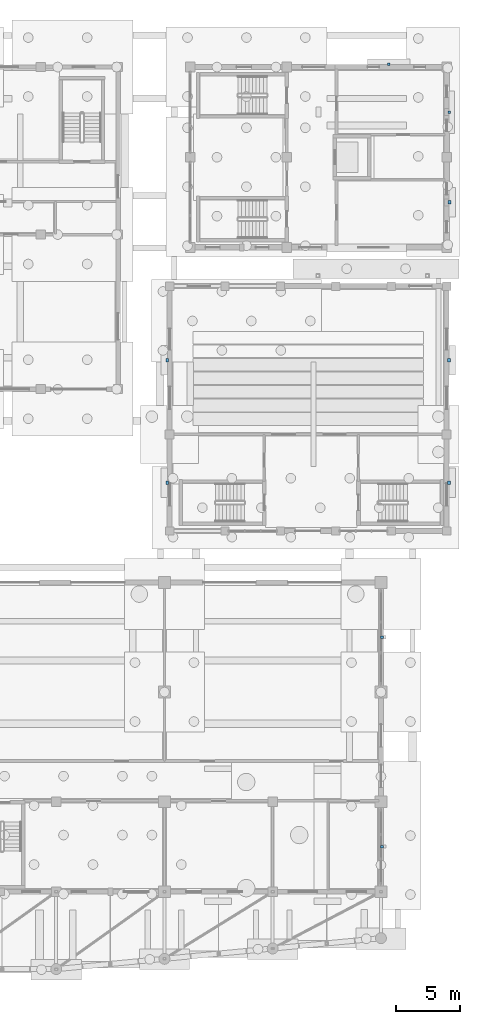
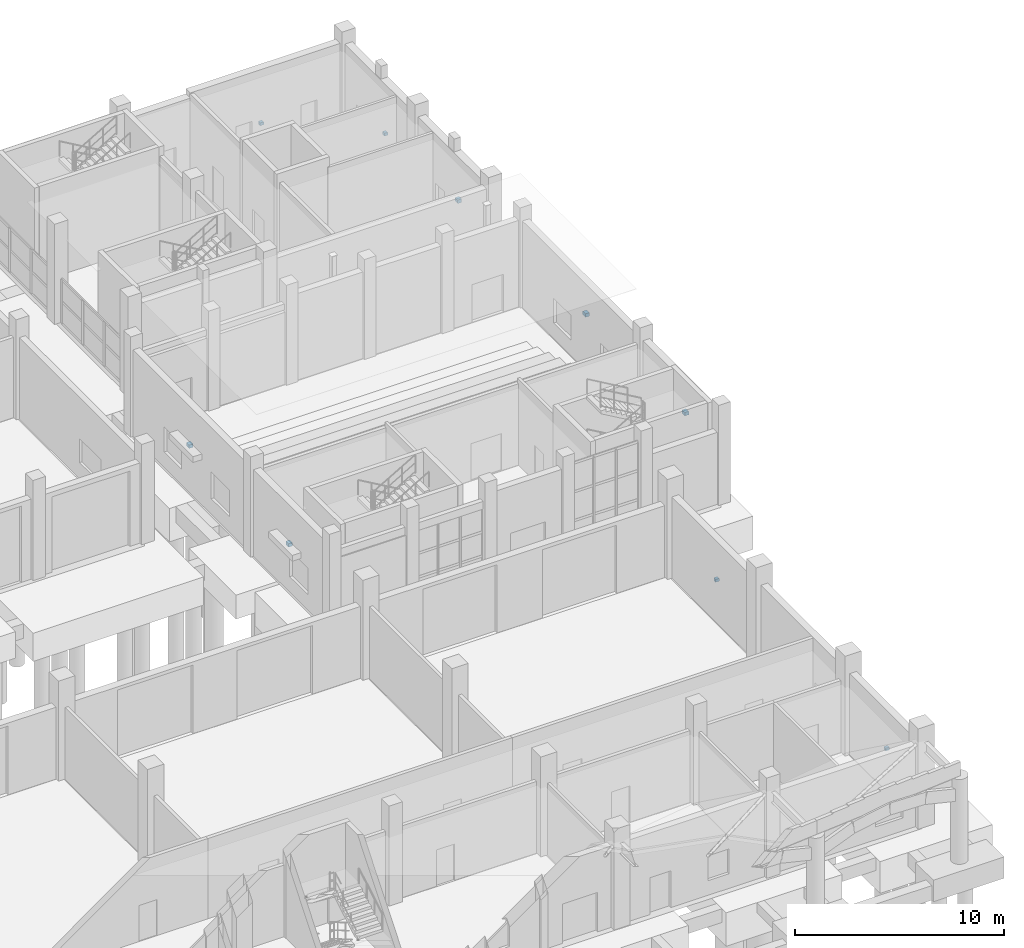
# One storey, part 49 of 60: 9 discrete accessories.
"""IFC4 building model written with IfcOpenShell, lengths in metres."""

from ifc_helpers import new_model, si_unit, direction, frame, origin, origin_2d, place, context, subcontext, project, spatial, rectangle, extrude, material, type_object, element, save


model = new_model("IFC4")

# Units and contexts
model_context = context("Model", 3, precision=1e-05, world=origin(), true_north=direction((0.0, 1.0)))
body_context = subcontext(model_context, "Body", "Model", "MODEL_VIEW")
ifc_project = project(units=[si_unit("LENGTHUNIT", "METRE"), si_unit("AREAUNIT", "SQUARE_METRE"), si_unit("VOLUMEUNIT", "CUBIC_METRE"), si_unit("PLANEANGLEUNIT", "RADIAN"), si_unit("MASSUNIT", "GRAM", prefix="KILO")], contexts=[model_context])

# Site, building, storey
site_placement = place(None, origin())
site = spatial("IfcSite", under=ifc_project, at=site_placement, CompositionType="ELEMENT")
building_placement = place(site_placement, origin())
building = spatial("IfcBuilding", under=site, at=building_placement, Name="Trellovar Central Fire Station", CompositionType="ELEMENT")
storey_placement = place(building_placement, origin())
storey = spatial("IfcBuildingStorey", under=building, at=storey_placement, Name="L01", CompositionType="ELEMENT", Elevation=0.0)

# Discrete accessories
ifc_material_1 = material(Name="Patina bronze wrought metalwork", Category="metal")
discrete_accessory_type_1 = type_object("IfcDiscreteAccessoryType", Name="ACC-BRK1", PredefinedType="BRACKET", material=ifc_material_1)
for number, where, z_axis, x_axis, name in (
    (1, (139.31005859375, 40.75, 2.7001953125), (0.0, 0.0, 1.0), (0.0, 1.0, 0.0), "L01 bronze shade mounting bracket 100"),
    (2, (139.31005859375, 50.25, 2.7001953125), (0.0, 0.0, 1.0), (0.0, 1.0, 0.0), "L01 bronze shade mounting bracket 101"),
    (3, (161.18994140625, 40.75, 2.7001953125), (0.0, 0.0, 1.0), (0.0, 1.0, 0.0), "L01 bronze shade mounting bracket 102"),
    (4, (161.18994140625, 50.25, 2.7001953125), (0.0, 0.0, 1.0), (0.0, 1.0, 0.0), "L01 bronze shade mounting bracket 103"),
    (5, (161.2099609375, 62.5, 1.89990234375), (0.0, 0.0, 1.0), (0.0, 1.0, 0.0), "L01 bronze shade mounting bracket 105"),
):
    element("IfcDiscreteAccessory", number, at=place(storey_placement, frame(where, z_axis=z_axis, x_axis=x_axis)), inside=storey, type_object=discrete_accessory_type_1, Name=name, PredefinedType="BRACKET", context=body_context, shape_type="SweptSolid", body=[
        extrude(rectangle(XDim=0.260009765625, YDim=0.219970703125, at=origin_2d()), origin(), (0.0, 0.0, 1.0), 0.199951171875),
    ])
ifc_material_2 = material(Name="Patina bronze wrought metalwork", Category="metal")
discrete_accessory_type_2 = type_object("IfcDiscreteAccessoryType", Name="ACC-BRK2", PredefinedType="BRACKET", material=ifc_material_2)
for number, where, z_axis, x_axis, name in (
    (6, (155.97998046875, 12.5, 2.06982421875), (0.0, 0.0, 1.0), (1.0, 0.0, 0.0), "L01 bronze shade mounting bracket 65"),
    (7, (155.97998046875, 28.75, 2.06982421875), (0.0, 0.0, 1.0), (1.0, 0.0, 0.0), "L01 bronze shade mounting bracket 66"),
    (8, (156.5, 73.2099609375, 1.56982421875), (0.0, 0.0, 1.0), (1.0, 0.0, 0.0), "L01 bronze shade mounting bracket 104"),
    (9, (161.2099609375, 69.5, 1.56982421875), (0.0, 0.0, 1.0), (0.0, 1.0, 0.0), "L01 bronze shade mounting bracket 106"),
):
    element("IfcDiscreteAccessory", number, at=place(storey_placement, frame(where, z_axis=z_axis, x_axis=x_axis)), inside=storey, type_object=discrete_accessory_type_2, Name=name, PredefinedType="BRACKET", context=body_context, shape_type="SweptSolid", body=[
        extrude(rectangle(XDim=0.199951171875, YDim=0.179931640625, at=origin_2d()), origin(), (0.0, 0.0, 1.0), 0.159912109375),
    ])

save(model, "model.ifc")
